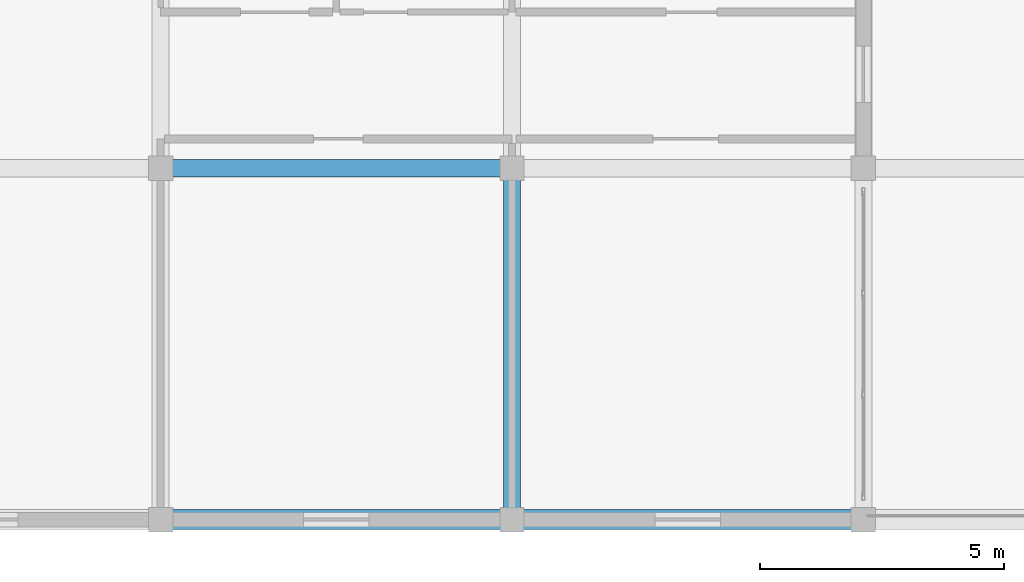
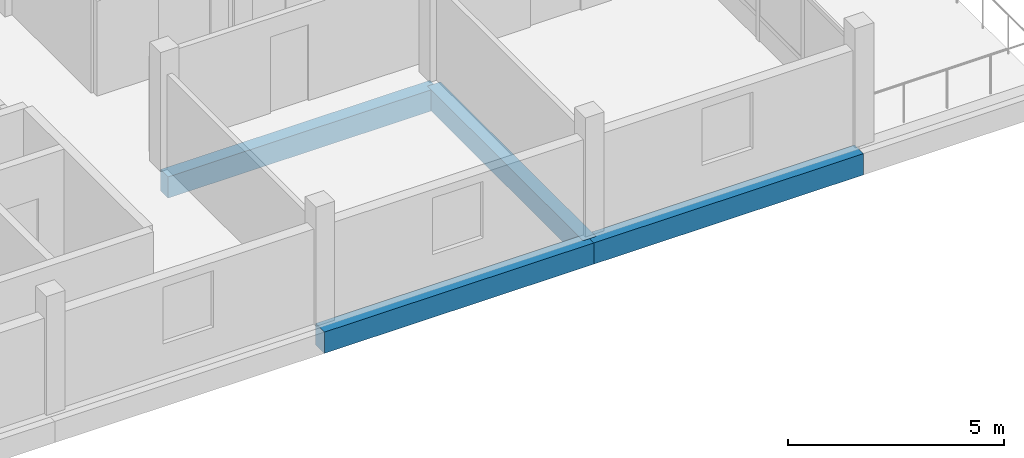
# One storey, part 3 of 18: 4 beams.
"""IFC4 building model written with IfcOpenShell, lengths in metres."""

from ifc_helpers import new_model, si_unit, direction, frame, origin, origin_2d, place, context, subcontext, project, spatial, rectangle, extrude, material, material_profile, profile_set, type_object, element, save


model = new_model("IFC4")

# Units and contexts
model_context = context("Model", 3, precision=1e-05, world=origin(), true_north=direction((0.0, 1.0)))
body_context = subcontext(model_context, "Body", "Model", "MODEL_VIEW")
ifc_project = project(units=[si_unit("LENGTHUNIT", "METRE"), si_unit("AREAUNIT", "SQUARE_METRE"), si_unit("VOLUMEUNIT", "CUBIC_METRE"), si_unit("PLANEANGLEUNIT", "RADIAN"), si_unit("MASSUNIT", "GRAM", prefix="KILO")], contexts=[model_context])

# Site, building, storey
site_placement = place(None, origin())
site = spatial("IfcSite", under=ifc_project, at=site_placement, CompositionType="ELEMENT")
building_placement = place(site_placement, origin())
building = spatial("IfcBuilding", under=site, at=building_placement, Name="Zornivar Specialist Clinic", CompositionType="ELEMENT")
storey_placement = place(building_placement, frame((0.0, 0.0, 23.39990234375)))
storey = spatial("IfcBuildingStorey", under=building, at=storey_placement, Name="L06", CompositionType="ELEMENT", Elevation=23.39990234375)

# Beams
ifc_material_1 = material(Name="Concrete C30/37", Category="concrete")
ifc_material_profile_1 = material_profile(ifc_material_1, rectangle(XDim=0.35009765625, YDim=0.60009765625, at=origin_2d()), Name="RC 350x600")
ifc_profile_set_1 = profile_set([ifc_material_profile_1], Name="Concrete C30/37")
beam_type_1 = type_object("IfcBeamType", Name="BM-RC-350x600", PredefinedType="BEAM", material=ifc_profile_set_1)
beam_1_placement = place(storey_placement, frame((14.39990234375, 7.199951171875, -0.579833984375), z_axis=(1.0, 0.0, 0.0), x_axis=(0.0, 1.0, 0.0)))
element("IfcBeam", 1, at=beam_1_placement, inside=storey, type_object=beam_type_1, Name="bm:V2:L06:x:72:2", PredefinedType="BEAM", context=body_context, shape_type="SweptSolid", body=[
    extrude(rectangle(XDim=0.35009765625, YDim=0.60009765625, at=origin_2d()), origin(), (0.0, 0.0, 1.0), 7.2001953125),
])
beam_2_placement = place(storey_placement, frame((21.60009765625, 0.0, -0.579833984375), z_axis=(0.0, 1.0, 0.0), x_axis=(-1.0, 0.0, 0.0)))
element("IfcBeam", 2, at=beam_2_placement, inside=storey, type_object=beam_type_1, Name="bm:V2:L06:y:216:0", PredefinedType="BEAM", context=body_context, shape_type="SweptSolid", body=[
    extrude(rectangle(XDim=0.35009765625, YDim=0.60009765625, at=origin_2d()), origin(), (0.0, 0.0, 1.0), 7.199951171875),
])
ifc_material_2 = material(Name="Concrete C30/37", Category="concrete")
ifc_material_profile_2 = material_profile(ifc_material_2, rectangle(XDim=0.409912109375, YDim=0.60009765625, at=origin_2d()), Name="RC 410x600")
ifc_profile_set_2 = profile_set([ifc_material_profile_2], Name="Concrete C30/37")
beam_type_2 = type_object("IfcBeamType", Name="BM-RC-SPANDREL-410x600", PredefinedType="SPANDREL", material=ifc_profile_set_2)
beam_3_placement = place(storey_placement, frame((14.39990234375, 0.0, -0.579833984375), z_axis=(1.0, 0.0, 0.0), x_axis=(0.0, 1.0, 0.0)))
element("IfcBeam", 3, at=beam_3_placement, inside=storey, type_object=beam_type_2, Name="bm:V2:L06:x:0:2", PredefinedType="SPANDREL", context=body_context, shape_type="SweptSolid", body=[
    extrude(rectangle(XDim=0.409912109375, YDim=0.60009765625, at=origin_2d()), origin(), (0.0, 0.0, 1.0), 7.2001953125),
])
beam_4_placement = place(storey_placement, frame((21.60009765625, 0.0, -0.579833984375), z_axis=(1.0, 0.0, 0.0), x_axis=(0.0, 1.0, 0.0)))
element("IfcBeam", 4, at=beam_4_placement, inside=storey, type_object=beam_type_2, Name="bm:V2:L06:x:0:3", PredefinedType="SPANDREL", context=body_context, shape_type="SweptSolid", body=[
    extrude(rectangle(XDim=0.409912109375, YDim=0.60009765625, at=origin_2d()), origin(), (0.0, 0.0, 1.0), 7.199951171875),
])

save(model, "model.ifc")
